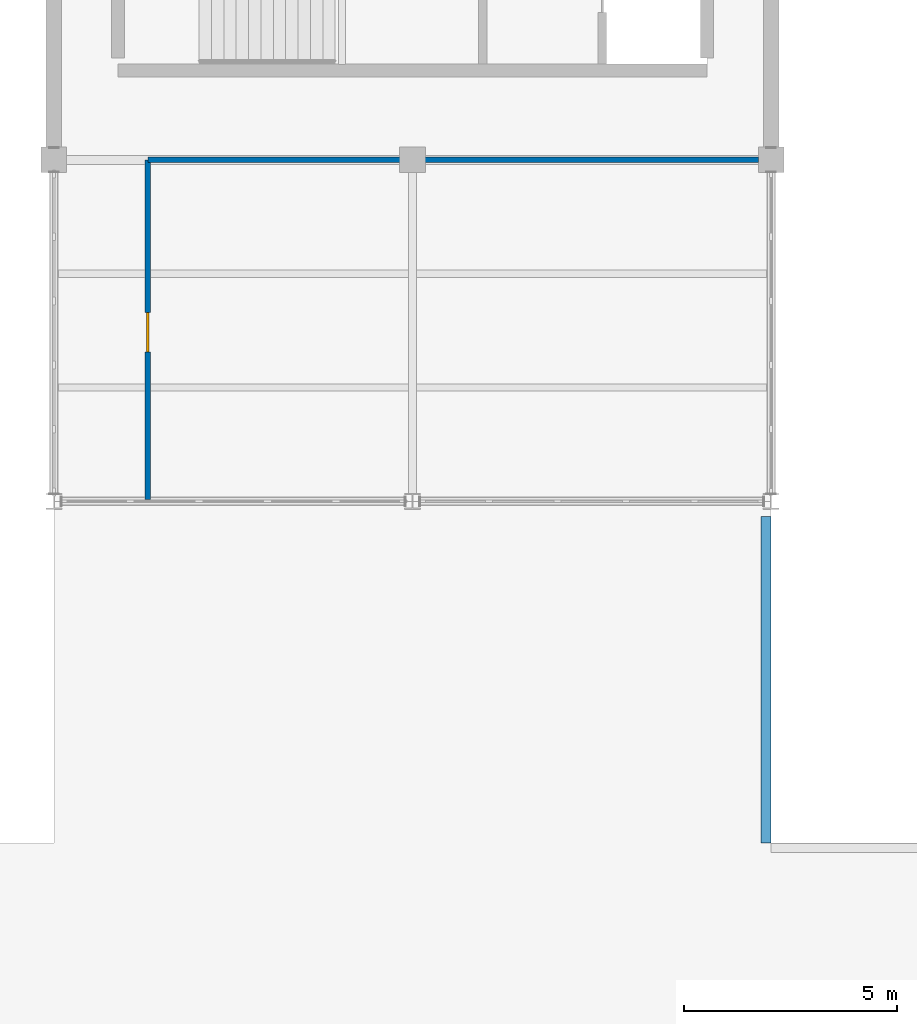
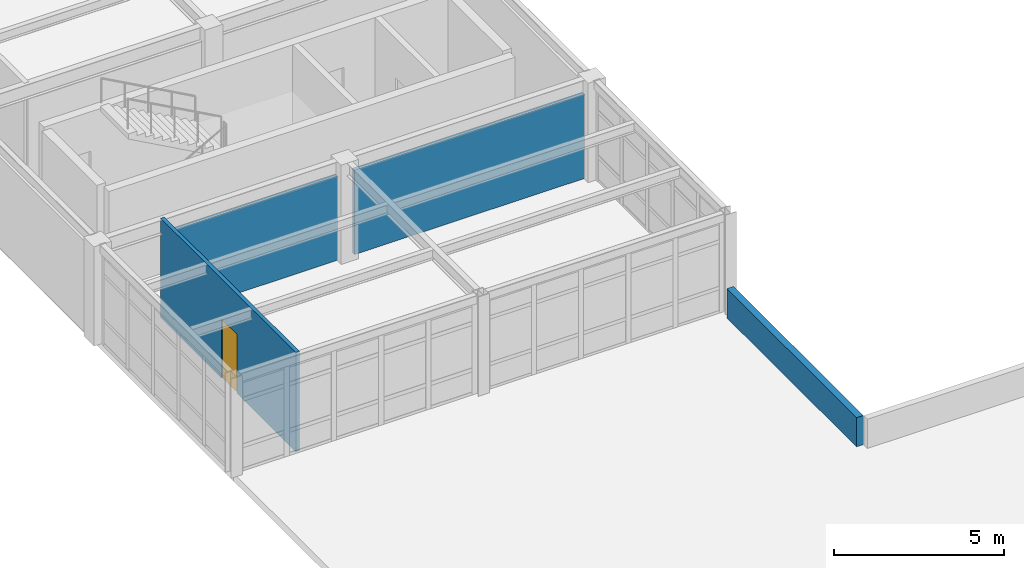
# One storey, part 49 of 96: 4 walls, 1 door, 1 opening.
"""IFC4 building model written with IfcOpenShell, lengths in metres."""

import ifcopenshell
import ifcopenshell.guid

model = None  # the IFC model being written
_history = None  # IfcOwnerHistory: only IFC2X3 demands one
_inside = {}  # id of a spatial element -> (the spatial element, [elements in it])
_under = {}  # id of a project, library or spatial element -> (it, [spatial elements below it])
_declared = {}  # id of a project -> (the project, [libraries it declares])
_typed = {}  # id of a type object -> (the type object, [elements of that type])
_made_of = {}  # id of a material, layer set ... -> (it, [elements and type objects made of it])


def new_model(schema):
    """Start an empty IFC model of exactly this schema.

    Asked for "IFC4X3", IfcOpenShell would pick the latest addendum, in which some entities
    have other attributes; the version numbers below select the first issue.
    IFC2X3 requires an IfcOwnerHistory on every rooted entity: one is made here for all.
    """
    global model, _history
    if schema == "IFC4X3":
        model = ifcopenshell.file(schema_version=(4, 3, 0, 0))
    else:
        model = ifcopenshell.file(schema=schema)
    _inside.clear()
    _under.clear()
    _declared.clear()
    _typed.clear()
    _made_of.clear()
    _history = None
    if model.schema == "IFC2X3":
        org = make("IfcOrganization", Name="unknown")
        user = make(
            "IfcPersonAndOrganization",
            ThePerson=make("IfcPerson", FamilyName="unknown"),
            TheOrganization=org,
        )
        app = make(
            "IfcApplication",
            ApplicationDeveloper=org,
            Version="unknown",
            ApplicationFullName="unknown",
            ApplicationIdentifier="unknown",
        )
        _history = make(
            "IfcOwnerHistory",
            OwningUser=user,
            OwningApplication=app,
            ChangeAction="ADDED",
            CreationDate=0,
        )
    return model


def make(cls, **values):
    """One entity of the class cls with the attributes given. An attribute that is None is left unset."""
    return model.create_entity(
        cls, **{name: value for name, value in values.items() if value is not None}
    )


def rooted(cls, **values):
    """An entity with a GlobalId (a new one), such as an element, a storey or a relation."""
    return make(cls, GlobalId=ifcopenshell.guid.new(), OwnerHistory=_history, **values)


def si_unit(unit_type, name, prefix=None):
    """IfcSIUnit, for example si_unit("LENGTHUNIT", "METRE", prefix="MILLI")."""
    return make("IfcSIUnit", UnitType=unit_type, Prefix=prefix, Name=name)


def assignment(units):
    """IfcUnitAssignment: the units of a project."""
    return None if units is None else make("IfcUnitAssignment", Units=units)


def point(xyz):
    """IfcCartesianPoint."""
    return None if xyz is None else make("IfcCartesianPoint", Coordinates=xyz)


def direction(xyz):
    """IfcDirection."""
    return None if xyz is None else make("IfcDirection", DirectionRatios=xyz)


def frame(location, z_axis=None, x_axis=None):
    """IfcAxis2Placement3D, a coordinate frame: its origin and axes. An axis left out is left unset."""
    return make(
        "IfcAxis2Placement3D",
        Location=point(location),
        Axis=direction(z_axis),
        RefDirection=direction(x_axis),
    )


def frame_2d(location, x_axis=None):
    """IfcAxis2Placement2D, a coordinate frame in the plane: its origin and x axis."""
    return make(
        "IfcAxis2Placement2D", Location=point(location), RefDirection=direction(x_axis)
    )


def origin():
    """The frame at (0, 0, 0) with its axes left unset."""
    return frame((0.0, 0.0, 0.0))


def place(relative_to, where):
    """IfcLocalPlacement: puts the frame where relative to a parent placement (None: the world)."""
    return make(
        "IfcLocalPlacement", PlacementRelTo=relative_to, RelativePlacement=where
    )


def context(
    kind, dimensions, precision=None, world=None, true_north=None, identifier=None
):
    """IfcGeometricRepresentationContext, for example the 3D "Model" context."""
    return make(
        "IfcGeometricRepresentationContext",
        ContextIdentifier=identifier,
        ContextType=kind,
        CoordinateSpaceDimension=dimensions,
        Precision=precision,
        WorldCoordinateSystem=world,
        TrueNorth=true_north,
    )


def subcontext(parent, identifier, kind, view, scale=None):
    """IfcGeometricRepresentationSubContext, for example "Body" below "Model"."""
    return make(
        "IfcGeometricRepresentationSubContext",
        ContextIdentifier=identifier,
        ContextType=kind,
        ParentContext=parent,
        TargetScale=scale,
        TargetView=view,
    )


def project(units=None, contexts=None):
    """IfcProject with its units and contexts."""
    return rooted(
        "IfcProject",
        Name="project",
        RepresentationContexts=contexts,
        UnitsInContext=assignment(units),
    )


def spatial(cls, under=None, at=None, **own):
    """A site, building, storey or space (cls), placed at a placement, below another one or the project."""
    s = rooted(cls, ObjectPlacement=at, **own)
    if under is not None:
        _under.setdefault(under.id(), (under, []))[1].append(s)
    return s


def profile(cls, at=None, kind="AREA", **sizes):
    """A parametric profile (cls). Its sizes go by their IFC names, for example OverallWidth=200.0."""
    return make(cls, ProfileType=kind, Position=at, **sizes)


def rectangle(**sizes):
    """IfcRectangleProfileDef."""
    return profile("IfcRectangleProfileDef", **sizes)


def extrude(swept, where, along, depth):
    """IfcExtrudedAreaSolid: the profile swept, set in the frame where, extruded along a direction by depth."""
    return make(
        "IfcExtrudedAreaSolid",
        SweptArea=swept,
        Position=where,
        ExtrudedDirection=direction(along),
        Depth=depth,
    )


def shape(context_of_items, identifier, shape_type, items):
    """IfcShapeRepresentation: the items that make up one representation, for example the "Body"."""
    return make(
        "IfcShapeRepresentation",
        ContextOfItems=context_of_items,
        RepresentationIdentifier=identifier,
        RepresentationType=shape_type,
        Items=items,
    )


def material(Name=None, Category=None):
    """IfcMaterial."""
    return make("IfcMaterial", Name=Name, Category=Category)


def layer(
    of_material, thickness, ventilated=None, Name=None, Category=None, Priority=None
):
    """IfcMaterialLayer: one layer of a wall or slab, of a material (None: an air gap)."""
    return make(
        "IfcMaterialLayer",
        Material=of_material,
        LayerThickness=thickness,
        IsVentilated=ventilated,
        Name=Name,
        Category=Category,
        Priority=Priority,
    )


def layer_set(layers, Name=None):
    """IfcMaterialLayerSet."""
    return make("IfcMaterialLayerSet", MaterialLayers=layers, LayerSetName=Name)


def made_of(thing, what):
    """Note that an element or type object is made of a material, layer set ...; save() writes the relation."""
    if what is not None:
        _made_of.setdefault(what.id(), (what, []))[1].append(thing)
    return thing


def type_object(cls, material=None, **own):
    """A type object (cls), such as IfcWallType, which elements share."""
    return made_of(rooted(cls, **own), material)


def element(
    cls,
    number,
    at=None,
    inside=None,
    cuts=None,
    type_object=None,
    material=None,
    context=None,
    identifier="Body",
    shape_type=None,
    held_by="IfcProductDefinitionShape",
    body=None,
    shapes=None,
    **own,
):
    """One element of the class cls, such as IfcWall. Its Tag is "e" and its number.

    at: its placement. inside: the storey or other place that contains it. cuts: it is an
    opening in that element (IfcRelVoidsElement). A single representation is given by context,
    identifier, shape_type and body (its items); several are given by shapes. held_by: the class
    of the entity that holds the representations. save() writes the other relations.
    """
    e = rooted(cls, Tag="e%d" % number, ObjectPlacement=at, **own)
    if body is not None:
        shapes = [shape(context, identifier, shape_type, body)]
    if shapes is not None:
        e.Representation = make(held_by, Representations=shapes)
    if inside is not None:
        _inside.setdefault(inside.id(), (inside, []))[1].append(e)
    if cuts is not None:
        rooted(
            "IfcRelVoidsElement", RelatingBuildingElement=cuts, RelatedOpeningElement=e
        )
    if type_object is not None:
        _typed.setdefault(type_object.id(), (type_object, []))[1].append(e)
    return made_of(e, material)


def fill(opening, filler):
    """IfcRelFillsElement: the door or window that sits in an opening."""
    return rooted(
        "IfcRelFillsElement",
        RelatingOpeningElement=opening,
        RelatedBuildingElement=filler,
    )


def aggregate(whole, parts):
    """IfcRelAggregates: a whole, such as a stair, and the parts it consists of."""
    return rooted("IfcRelAggregates", RelatingObject=whole, RelatedObjects=parts)


def save(model, path):
    """Write the relations noted so far, then the file.

    IfcRelAggregates (storeys below a building ...), IfcRelContainedInSpatialStructure (elements
    in a storey), IfcRelDefinesByType, IfcRelAssociatesMaterial and IfcRelDeclares: one each for
    every whole, place, type object, material and project.
    """
    for whole, parts in _under.values():
        aggregate(whole, parts)
    for where, things in _inside.values():
        rooted(
            "IfcRelContainedInSpatialStructure",
            RelatedElements=things,
            RelatingStructure=where,
        )
    for kind, things in _typed.values():
        rooted("IfcRelDefinesByType", RelatedObjects=things, RelatingType=kind)
    for what, things in _made_of.values():
        rooted("IfcRelAssociatesMaterial", RelatedObjects=things, RelatingMaterial=what)
    for by, libraries in _declared.values():
        rooted("IfcRelDeclares", RelatingContext=by, RelatedDefinitions=libraries)
    model.write(path)


model = new_model("IFC4")

# Units and contexts
model_context = context("Model", 3, precision=1e-05, world=origin(), true_north=direction((0.0, 1.0)))
body_context = subcontext(model_context, "Body", "Model", "MODEL_VIEW")
ifc_project = project(units=[si_unit("LENGTHUNIT", "METRE"), si_unit("AREAUNIT", "SQUARE_METRE"), si_unit("VOLUMEUNIT", "CUBIC_METRE"), si_unit("PLANEANGLEUNIT", "RADIAN"), si_unit("MASSUNIT", "GRAM", prefix="KILO")], contexts=[model_context])

# Site, building, storey
site_placement = place(None, origin())
site = spatial("IfcSite", under=ifc_project, at=site_placement, CompositionType="ELEMENT")
building_placement = place(site_placement, origin())
building = spatial("IfcBuilding", under=site, at=building_placement, Name="Kranzveld Transit Interchange", CompositionType="ELEMENT")
storey_placement = place(building_placement, frame((0.0, 0.0, 9.52001953125)))
storey = spatial("IfcBuildingStorey", under=building, at=storey_placement, Name="L02", CompositionType="ELEMENT", Elevation=9.52001953125)

# Wall, opening, door
ifc_material_1 = material(Name="Clay masonry unit wall, 20 MPa", Category="masonry")
ifc_layer_1 = layer(ifc_material_1, 0.125)
ifc_layer_set_1 = layer_set([ifc_layer_1], Name="Clay masonry unit wall, 20 MPa")
wall_type_1 = type_object("IfcWallType", Name="Internal Blockwork Partition 125", PredefinedType="PARTITIONING", material=ifc_layer_set_1)
wall_1_placement = place(storey_placement, frame((103.0, 64.0400390625, 0.0), z_axis=(0.0, 0.0, 1.0), x_axis=(0.0, 1.0, 0.0)))
wall_1 = element("IfcWall", 1, at=wall_1_placement, inside=storey, type_object=wall_type_1, Name="L02 Partition IW-L02-L02V4S-FRT-211-0", PredefinedType="PARTITIONING", context=body_context, shape_type="SweptSolid", body=[
    extrude(rectangle(XDim=7.9599609375, YDim=0.125, at=frame_2d((3.97998046875, 0.0))), origin(), (0.0, 0.0, 1.0), 3.570068359375),
])
opening_placement = place(wall_1_placement, frame((4.3798828125, 0.0, 0.0), z_axis=(0.0, 0.0, 1.0), x_axis=(-1.0, 0.0, 0.0)))
opening = element("IfcOpeningElement", 2, at=opening_placement, cuts=wall_1, Name="Opening D-211", PredefinedType="OPENING", context=body_context, shape_type="SweptSolid", body=[
    extrude(rectangle(XDim=0.919921875, YDim=2.1201171875, at=frame_2d((0.4599609375, 1.06005859375))), frame((0.0, 0.072509765625, 0.0), z_axis=(0.0, -1.0, 0.0), x_axis=(1.0, 0.0, 0.0)), (0.0, 0.0, 1.0), 0.14501953125),
])
ifc_material_2 = material(Name="Bronze-anodised thermally broken aluminium", Category="aluminium")
door_type = type_object("IfcDoorType", Name="Consulting Room Door 920x2120", OperationType="NOTDEFINED", PredefinedType="DOOR", material=ifc_material_2)
door_placement = place(opening_placement, origin())
door = element("IfcDoor", 3, at=door_placement, inside=storey, type_object=door_type, Name="L02 Interior Door D-211", OperationType="SINGLE_SWING_LEFT", OverallHeight=2.1201171875, OverallWidth=0.919921875, PredefinedType="DOOR", context=body_context, shape_type="SweptSolid", body=[
    extrude(rectangle(XDim=0.919921875, YDim=2.1201171875, at=frame_2d((0.4599609375, 1.06005859375))), frame((0.0, 0.02490234375, 0.0), z_axis=(0.0, -1.0, 0.0), x_axis=(1.0, 0.0, 0.0)), (0.0, 0.0, 1.0), 0.050048828125),
])
fill(opening, door)

# Walls
wall_2_placement = place(storey_placement, frame((103.0, 72.0, 0.0), z_axis=(0.0, 0.0, 1.0), x_axis=(1.0, 0.0, 0.0)))
element("IfcWall", 4, at=wall_2_placement, inside=storey, type_object=wall_type_1, Name="L02 Partition IW-L02-L02V4S-N-211-0", PredefinedType="PARTITIONING", context=body_context, shape_type="SweptSolid", body=[
    extrude(rectangle(XDim=5.909912109375, YDim=0.125, at=frame_2d((2.955078125, 0.0))), origin(), (0.0, 0.0, 1.0), 3.036865234375),
])
wall_3_placement = place(storey_placement, frame((109.489990234375, 72.0, 0.0), z_axis=(0.0, 0.0, 1.0), x_axis=(1.0, 0.0, 0.0)))
element("IfcWall", 5, at=wall_3_placement, inside=storey, type_object=wall_type_1, Name="L02 Partition IW-L02-L02V4S-N-211-1", PredefinedType="PARTITIONING", context=body_context, shape_type="SweptSolid", body=[
    extrude(rectangle(XDim=7.820068359375, YDim=0.125, at=frame_2d((3.91015625, 0.0))), origin(), (0.0, 0.0, 1.0), 3.036865234375),
])
ifc_material_3 = material(Name="Pretoria red-purple clinker clay face brick, 35 MPa", Category="masonry")
ifc_layer_2 = layer(ifc_material_3, 0.22998046875)
ifc_layer_set_2 = layer_set([ifc_layer_2], Name="Pretoria red-purple clinker clay face brick, 35 MPa")
wall_type_2 = type_object("IfcWallType", Name="Roof Parapet Wall Clinker Brick 230", PredefinedType="PARAPET", material=ifc_layer_set_2)
wall_4_placement = place(storey_placement, frame((117.47998046875, 63.64990234375, 0.0), z_axis=(0.0, 0.0, 1.0), x_axis=(0.0, -1.0, 0.0)))
element("IfcWall", 6, at=wall_4_placement, inside=storey, type_object=wall_type_2, Name="L02 Roof Parapet 014", PredefinedType="PARAPET", context=body_context, shape_type="SweptSolid", body=[
    extrude(rectangle(XDim=7.64990234375, YDim=0.22998046875, at=frame_2d((3.824951171875, 0.0))), origin(), (0.0, 0.0, 1.0), 1.050048828125),
])

save(model, "model.ifc")
